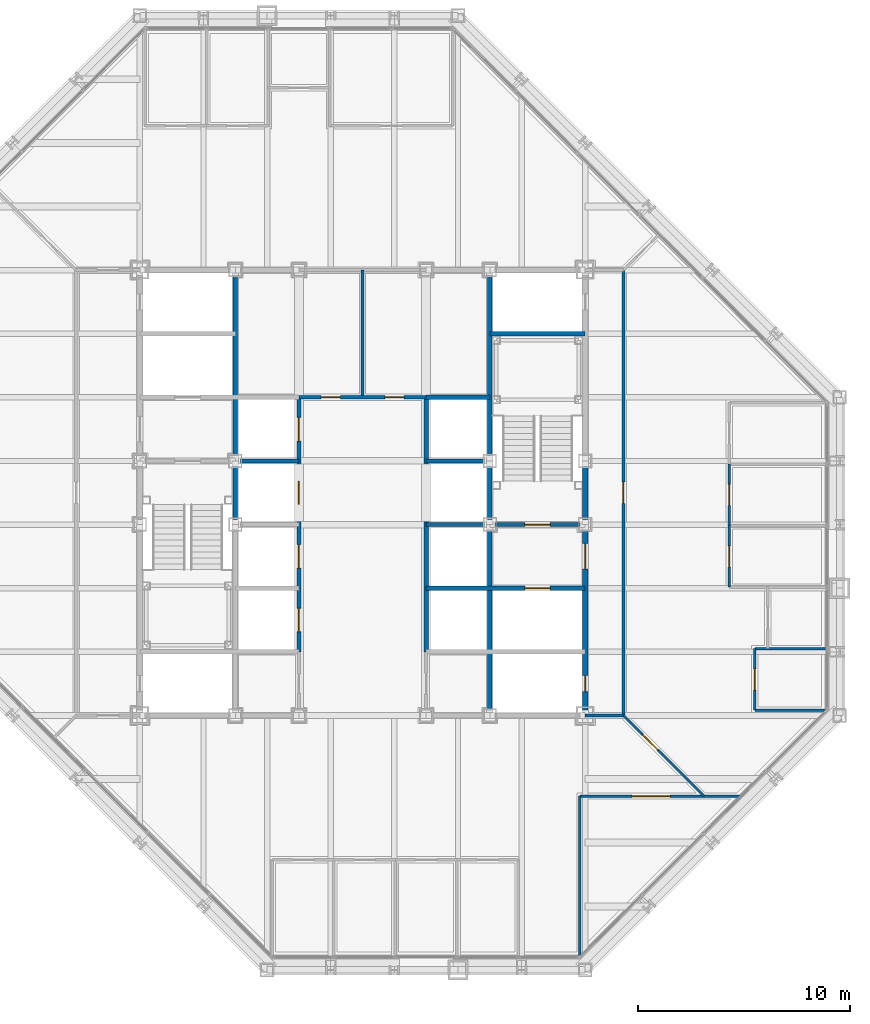
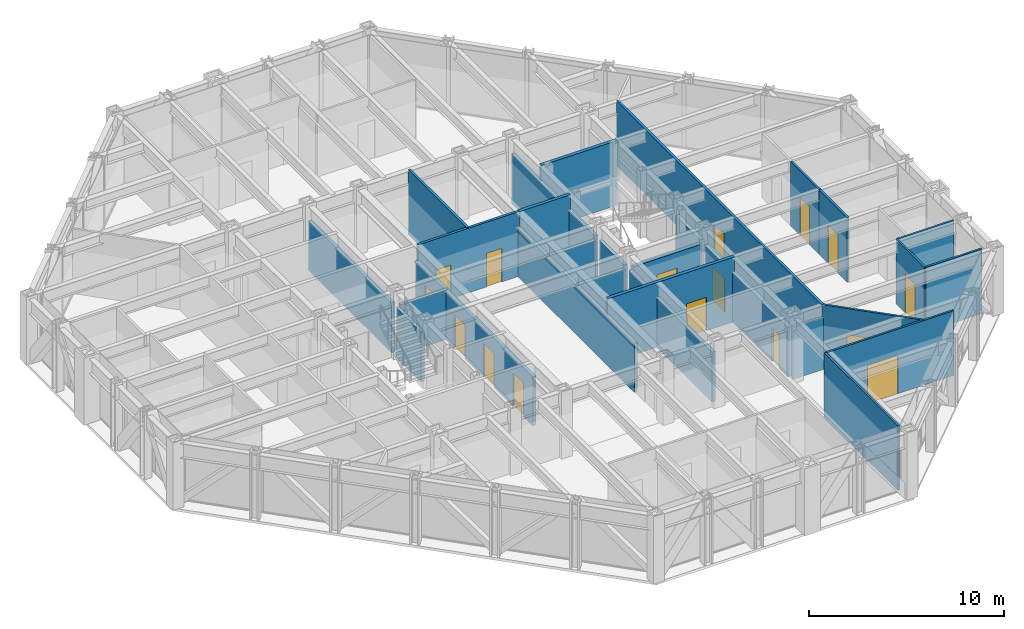
# One storey, part 11 of 15: 28 walls, 16 doors, 16 openings.
"""IFC4 building model written with IfcOpenShell, lengths in metres."""

from ifc_helpers import new_model, si_unit, direction, frame, frame_2d, origin, place, context, subcontext, project, spatial, rectangle, extrude, material, layer, layer_set, type_object, element, fill, save


model = new_model("IFC4")

# Units and contexts
model_context = context("Model", 3, precision=1e-05, world=origin(), true_north=direction((0.0, 1.0)))
body_context = subcontext(model_context, "Body", "Model", "MODEL_VIEW")
ifc_project = project(units=[si_unit("LENGTHUNIT", "METRE"), si_unit("AREAUNIT", "SQUARE_METRE"), si_unit("VOLUMEUNIT", "CUBIC_METRE"), si_unit("PLANEANGLEUNIT", "RADIAN"), si_unit("MASSUNIT", "GRAM", prefix="KILO")], contexts=[model_context])

# Site, building, storey
site_placement = place(None, origin())
site = spatial("IfcSite", under=ifc_project, at=site_placement, CompositionType="ELEMENT")
building_placement = place(site_placement, origin())
building = spatial("IfcBuilding", under=site, at=building_placement, Name="Chuquiago Exchange Tower", CompositionType="ELEMENT")
storey_placement = place(building_placement, frame((0.0, 0.0, 192.89990234375)))
storey = spatial("IfcBuildingStorey", under=building, at=storey_placement, Name="L42", CompositionType="ELEMENT", Elevation=192.89990234375)

# Wall, openings, doors
ifc_material_1 = material(Name="Concrete masonry, fully grouted", Category="masonry")
ifc_layer_1 = layer(ifc_material_1, 0.25)
ifc_layer_set_1 = layer_set([ifc_layer_1], Name="W1 core wall 250")
wall_type_1 = type_object("IfcWallType", Name="W1 core wall 250", PredefinedType="SOLIDWALL", material=ifc_layer_set_1)
wall_1_placement = place(storey_placement, frame((33.0, 12.25, 0.0), z_axis=(0.0, 0.0, 1.0), x_axis=(0.0, 1.0, 0.0)))
wall_1 = element("IfcWall", 1, at=wall_1_placement, inside=storey, type_object=wall_type_1, Name="CW-L42-25-0", PredefinedType="SOLIDWALL", context=body_context, shape_type="SweptSolid", body=[
    extrude(rectangle(XDim=8.5, YDim=0.25, at=frame_2d((4.25, 0.0))), origin(), (0.0, 0.0, 1.0), 3.113037109375),
])
opening_1_placement = place(wall_1_placement, frame((6.64990234375, 0.0, 0.0)))
opening_1 = element("IfcOpeningElement", 2, at=opening_1_placement, cuts=wall_1, Name="Opening L42-004", PredefinedType="OPENING", context=body_context, shape_type="SweptSolid", body=[
    extrude(rectangle(XDim=1.199951171875, YDim=2.10009765625, at=frame_2d((0.60009765625, 1.050048828125))), frame((0.0, 0.135009765625, 0.0), z_axis=(0.0, -1.0, 0.0), x_axis=(1.0, 0.0, 0.0)), (0.0, 0.0, 1.0), 0.27001953125),
])
opening_2_placement = place(wall_1_placement, frame((0.875, 0.0, 0.0)))
opening_2 = element("IfcOpeningElement", 3, at=opening_2_placement, cuts=wall_1, Name="Opening L42-009", PredefinedType="OPENING", context=body_context, shape_type="SweptSolid", body=[
    extrude(rectangle(XDim=0.75, YDim=2.10009765625, at=frame_2d((0.375, 1.050048828125))), frame((0.0, 0.135009765625, 0.0), z_axis=(0.0, -1.0, 0.0), x_axis=(1.0, 0.0, 0.0)), (0.0, 0.0, 1.0), 0.27001953125),
])
ifc_material_2 = material(Name="Steel door, painted", Category="steel")
door_type_1 = type_object("IfcDoorType", Name="D5 firefighting lobby door 1200x2100", OperationType="SINGLE_SWING_LEFT", PredefinedType="DOOR", material=ifc_material_2)
door_1_placement = place(opening_1_placement, origin())
door_1 = element("IfcDoor", 4, at=door_1_placement, inside=storey, type_object=door_type_1, Name="Firefighting lobby 2 door", OperationType="SINGLE_SWING_RIGHT", OverallHeight=2.10009765625, OverallWidth=1.199951171875, PredefinedType="DOOR", context=body_context, shape_type="SweptSolid", body=[
    extrude(rectangle(XDim=1.199951171875, YDim=2.10009765625, at=frame_2d((0.60009765625, 1.050048828125))), frame((0.0, 0.02490234375, 0.0), z_axis=(0.0, -1.0, 0.0), x_axis=(1.0, 0.0, 0.0)), (0.0, 0.0, 1.0), 0.050048828125),
])
fill(opening_1, door_1)
ifc_material_3 = material(Name="Steel door, painted", Category="steel")
door_type_2 = type_object("IfcDoorType", Name="D6 riser access door 750x2100", OperationType="SINGLE_SWING_LEFT", PredefinedType="DOOR", material=ifc_material_3)
door_2_placement = place(opening_2_placement, frame((0.75, 0.0, 0.0), z_axis=(0.0, 0.0, 1.0), x_axis=(-1.0, 0.0, 0.0)))
door_2 = element("IfcDoor", 5, at=door_2_placement, inside=storey, type_object=door_type_2, Name="Riser RE1 door", OperationType="SINGLE_SWING_RIGHT", OverallHeight=2.10009765625, OverallWidth=0.75, PredefinedType="DOOR", context=body_context, shape_type="SweptSolid", body=[
    extrude(rectangle(XDim=0.75, YDim=2.10009765625, at=frame_2d((0.375, 1.050048828125))), frame((0.0, 0.02490234375, 0.0), z_axis=(0.0, -1.0, 0.0), x_axis=(1.0, 0.0, 0.0)), (0.0, 0.0, 1.0), 0.050048828125),
])
fill(opening_2, door_2)

# Wall
wall_2_placement = place(storey_placement, frame((33.0, 21.25, 0.0), z_axis=(0.0, 0.0, 1.0), x_axis=(0.0, 1.0, 0.0)))
element("IfcWall", 6, at=wall_2_placement, inside=storey, type_object=wall_type_1, Name="CW-L42-25-1", PredefinedType="SOLIDWALL", context=body_context, shape_type="SweptSolid", body=[
    extrude(rectangle(XDim=2.5, YDim=0.25, at=frame_2d((1.25, 0.0))), origin(), (0.0, 0.0, 1.0), 3.113037109375),
])

# Wall, opening, door
ifc_material_4 = material(Name="Gypsum board on steel studs, acoustic insulation", Category="steel")
ifc_layer_2 = layer(ifc_material_4, 0.14990234375)
ifc_layer_set_2 = layer_set([ifc_layer_2], Name="W11 corridor wall 150")
wall_type_2 = type_object("IfcWallType", Name="W11 corridor wall 150", PredefinedType="PARTITIONING", material=ifc_layer_set_2)
wall_3_placement = place(storey_placement, frame((34.800048828125, 12.0, 0.0), z_axis=(0.0, 0.0, 1.0), x_axis=(0.0, 1.0, 0.0)))
wall_3 = element("IfcWall", 7, at=wall_3_placement, inside=storey, type_object=wall_type_2, Name="PW-L42-GE0", PredefinedType="PARTITIONING", context=body_context, shape_type="SweptSolid", body=[
    extrude(rectangle(XDim=21.0, YDim=0.14990234375, at=frame_2d((10.5, 0.0))), origin(), (0.0, 0.0, 1.0), 4.0400390625),
])
opening_3_placement = place(wall_3_placement, frame((10.0, 0.0, 0.0)))
opening_3 = element("IfcOpeningElement", 8, at=opening_3_placement, cuts=wall_3, Name="Opening L42-040", PredefinedType="OPENING", context=body_context, shape_type="SweptSolid", body=[
    extrude(rectangle(XDim=1.0, YDim=2.39990234375, at=frame_2d((0.5, 1.199951171875))), frame((0.0, 0.0849609375, 0.0), z_axis=(0.0, -1.0, 0.0), x_axis=(1.0, 0.0, 0.0)), (0.0, 0.0, 1.0), 0.169921875),
])
ifc_material_5 = material(Name="Timber door, laminate faced", Category="wood")
door_type_3 = type_object("IfcDoorType", Name="D9 room door 1000x2400", OperationType="SINGLE_SWING_LEFT", PredefinedType="DOOR", material=ifc_material_5)
door_3_placement = place(opening_3_placement, frame((1.0, 0.0, 0.0), z_axis=(0.0, 0.0, 1.0), x_axis=(-1.0, 0.0, 0.0)))
door_3 = element("IfcDoor", 9, at=door_3_placement, inside=storey, type_object=door_type_3, Name="Team area door", OperationType="SINGLE_SWING_RIGHT", OverallHeight=2.39990234375, OverallWidth=1.0, PredefinedType="DOOR", context=body_context, shape_type="SweptSolid", body=[
    extrude(rectangle(XDim=1.0, YDim=2.39990234375, at=frame_2d((0.5, 1.199951171875))), frame((0.0, 0.02490234375, 0.0), z_axis=(0.0, -1.0, 0.0), x_axis=(1.0, 0.0, 0.0)), (0.0, 0.0, 1.0), 0.050048828125),
])
fill(opening_3, door_3)

# Walls
wall_4_placement = place(storey_placement, frame((33.0, 12.0, 0.0), z_axis=(0.0, 0.0, 1.0), x_axis=(1.0, 0.0, 0.0)))
element("IfcWall", 10, at=wall_4_placement, inside=storey, type_object=wall_type_2, Name="PW-L42-GES0", PredefinedType="PARTITIONING", context=body_context, shape_type="SweptSolid", body=[
    extrude(rectangle(XDim=1.800048828125, YDim=0.14990234375, at=frame_2d((0.89990234375, 0.0))), origin(), (0.0, 0.0, 1.0), 3.2705078125),
])
ifc_material_6 = material(Name="Concrete masonry, fully grouted", Category="masonry")
ifc_layer_3 = layer(ifc_material_6, 0.199951171875)
ifc_layer_set_3 = layer_set([ifc_layer_3], Name="W2 shaft wall 200")
wall_type_3 = type_object("IfcWallType", Name="W2 shaft wall 200", PredefinedType="SOLIDWALL", material=ifc_layer_set_3)
for number, where, z_axis, x_axis, name in (
    (11, (16.75, 24.0, 0.0), (0.0, 0.0, 1.0), (1.0, 0.0, 0.0), "CW-L42-05-1"),
    (12, (25.5, 24.0, 0.0), (0.0, 0.0, 1.0), (1.0, 0.0, 0.0), "CW-L42-06-0"),
):
    element("IfcWall", number, at=place(storey_placement, frame(where, z_axis=z_axis, x_axis=x_axis)), inside=storey, type_object=wall_type_3, Name=name, PredefinedType="SOLIDWALL", context=body_context, shape_type="SweptSolid", body=[
        extrude(rectangle(XDim=2.75, YDim=0.199951171875, at=frame_2d((1.375, 0.0))), origin(), (0.0, 0.0, 1.0), 3.090087890625),
    ])
wall_5_placement = place(storey_placement, frame((25.5, 27.0, 0.0), z_axis=(0.0, 0.0, 1.0), x_axis=(1.0, 0.0, 0.0)))
element("IfcWall", 13, at=wall_5_placement, inside=storey, type_object=wall_type_3, Name="CW-L42-08-0", PredefinedType="SOLIDWALL", context=body_context, shape_type="SweptSolid", body=[
    extrude(rectangle(XDim=3.0, YDim=0.199951171875, at=frame_2d((1.5, 0.0))), origin(), (0.0, 0.0, 1.0), 4.0400390625),
])
wall_6_placement = place(storey_placement, frame((28.5, 30.0, 0.0), z_axis=(0.0, 0.0, 1.0), x_axis=(1.0, 0.0, 0.0)))
element("IfcWall", 14, at=wall_6_placement, inside=storey, type_object=wall_type_3, Name="CW-L42-10-0", PredefinedType="SOLIDWALL", context=body_context, shape_type="SweptSolid", body=[
    extrude(rectangle(XDim=4.5, YDim=0.199951171875, at=frame_2d((2.25, 0.0))), origin(), (0.0, 0.0, 1.0), 4.0400390625),
])
wall_7_placement = place(storey_placement, frame((16.5, 21.25, 0.0), z_axis=(0.0, 0.0, 1.0), x_axis=(0.0, 1.0, 0.0)))
element("IfcWall", 15, at=wall_7_placement, inside=storey, type_object=wall_type_3, Name="CW-L42-13-1", PredefinedType="SOLIDWALL", context=body_context, shape_type="SweptSolid", body=[
    extrude(rectangle(XDim=2.5, YDim=0.199951171875, at=frame_2d((1.25, 0.0))), origin(), (0.0, 0.0, 1.0), 3.113037109375),
])
wall_8_placement = place(storey_placement, frame((16.5, 24.25, 0.0), z_axis=(0.0, 0.0, 1.0), x_axis=(0.0, 1.0, 0.0)))
element("IfcWall", 16, at=wall_8_placement, inside=storey, type_object=wall_type_3, Name="CW-L42-13-2", PredefinedType="SOLIDWALL", context=body_context, shape_type="SweptSolid", body=[
    extrude(rectangle(XDim=8.5, YDim=0.199951171875, at=frame_2d((4.25, 0.0))), origin(), (0.0, 0.0, 1.0), 3.113037109375),
])

# Wall, opening, door
wall_9_placement = place(storey_placement, frame((25.5, 18.0, 0.0), z_axis=(0.0, 0.0, 1.0), x_axis=(1.0, 0.0, 0.0)))
wall_9 = element("IfcWall", 17, at=wall_9_placement, inside=storey, type_object=wall_type_3, Name="CW-L42-15-0", PredefinedType="SOLIDWALL", context=body_context, shape_type="SweptSolid", body=[
    extrude(rectangle(XDim=7.5, YDim=0.199951171875, at=frame_2d((3.75, 0.0))), origin(), (0.0, 0.0, 1.0), 4.0400390625),
])
opening_4_placement = place(wall_9_placement, frame((4.64990234375, 0.0, 0.0)))
opening_4 = element("IfcOpeningElement", 18, at=opening_4_placement, cuts=wall_9, Name="Opening L42-006", PredefinedType="OPENING", context=body_context, shape_type="SweptSolid", body=[
    extrude(rectangle(XDim=1.199951171875, YDim=2.10009765625, at=frame_2d((0.60009765625, 1.050048828125))), frame((0.0, 0.10986328125, 0.0), z_axis=(0.0, -1.0, 0.0), x_axis=(1.0, 0.0, 0.0)), (0.0, 0.0, 1.0), 0.219970703125),
])
ifc_material_7 = material(Name="Stainless steel lift landing door", Category="steel")
door_type_4 = type_object("IfcDoorType", Name="LD2 firefighting lift landing door 1200x2100", OperationType="DOUBLE_DOOR_SLIDING", PredefinedType="DOOR", material=ifc_material_7)
door_4_placement = place(opening_4_placement, origin())
door_4 = element("IfcDoor", 19, at=door_4_placement, inside=storey, type_object=door_type_4, Name="Firefighting lift FL2 landing door", OperationType="DOUBLE_DOOR_SLIDING", OverallHeight=2.10009765625, OverallWidth=1.199951171875, PredefinedType="DOOR", context=body_context, shape_type="SweptSolid", body=[
    extrude(rectangle(XDim=1.199951171875, YDim=2.10009765625, at=frame_2d((0.60009765625, 1.050048828125))), frame((0.0, 0.02490234375, 0.0), z_axis=(0.0, -1.0, 0.0), x_axis=(1.0, 0.0, 0.0)), (0.0, 0.0, 1.0), 0.050048828125),
])
fill(opening_4, door_4)

# Wall
wall_10_placement = place(storey_placement, frame((25.5, 21.0, 0.0), z_axis=(0.0, 0.0, 1.0), x_axis=(1.0, 0.0, 0.0)))
element("IfcWall", 20, at=wall_10_placement, inside=storey, type_object=wall_type_3, Name="CW-L42-17-0", PredefinedType="SOLIDWALL", context=body_context, shape_type="SweptSolid", body=[
    extrude(rectangle(XDim=2.75, YDim=0.199951171875, at=frame_2d((1.375, 0.0))), origin(), (0.0, 0.0, 1.0), 3.090087890625),
])

# Wall, opening, door
wall_11_placement = place(storey_placement, frame((28.75, 21.0, 0.0), z_axis=(0.0, 0.0, 1.0), x_axis=(1.0, 0.0, 0.0)))
wall_11 = element("IfcWall", 21, at=wall_11_placement, inside=storey, type_object=wall_type_3, Name="CW-L42-17-1", PredefinedType="SOLIDWALL", context=body_context, shape_type="SweptSolid", body=[
    extrude(rectangle(XDim=4.0, YDim=0.199951171875, at=frame_2d((2.0, 0.0))), origin(), (0.0, 0.0, 1.0), 3.090087890625),
])
opening_5_placement = place(wall_11_placement, frame((1.39990234375, 0.0, 0.0)))
opening_5 = element("IfcOpeningElement", 22, at=opening_5_placement, cuts=wall_11, Name="Opening L42-003", PredefinedType="OPENING", context=body_context, shape_type="SweptSolid", body=[
    extrude(rectangle(XDim=1.199951171875, YDim=2.10009765625, at=frame_2d((0.60009765625, 1.050048828125))), frame((0.0, 0.10986328125, 0.0), z_axis=(0.0, -1.0, 0.0), x_axis=(1.0, 0.0, 0.0)), (0.0, 0.0, 1.0), 0.219970703125),
])
ifc_material_8 = material(Name="Steel door, painted", Category="steel")
door_type_5 = type_object("IfcDoorType", Name="D4 stair door 1200x2100", OperationType="SINGLE_SWING_LEFT", PredefinedType="DOOR", material=ifc_material_8)
door_5_placement = place(opening_5_placement, origin())
door_5 = element("IfcDoor", 23, at=door_5_placement, inside=storey, type_object=door_type_5, Name="Stair ST2 door", OperationType="SINGLE_SWING_LEFT", OverallHeight=2.10009765625, OverallWidth=1.199951171875, PredefinedType="DOOR", context=body_context, shape_type="SweptSolid", body=[
    extrude(rectangle(XDim=1.199951171875, YDim=2.10009765625, at=frame_2d((0.60009765625, 1.050048828125))), frame((0.0, 0.02490234375, 0.0), z_axis=(0.0, -1.0, 0.0), x_axis=(1.0, 0.0, 0.0)), (0.0, 0.0, 1.0), 0.050048828125),
])
fill(opening_5, door_5)

# Wall, openings, doors
wall_12_placement = place(storey_placement, frame((19.5, 15.0, 0.0), z_axis=(0.0, 0.0, 1.0), x_axis=(0.0, 1.0, 0.0)))
wall_12 = element("IfcWall", 24, at=wall_12_placement, inside=storey, type_object=wall_type_3, Name="CW-L42-19-0", PredefinedType="SOLIDWALL", context=body_context, shape_type="SweptSolid", body=[
    extrude(rectangle(XDim=12.0, YDim=0.199951171875, at=frame_2d((6.0, 0.0))), origin(), (0.0, 0.0, 1.0), 3.064697265625),
])
opening_6_placement = place(wall_12_placement, frame((0.949951171875, 0.0, 0.0)))
opening_6 = element("IfcOpeningElement", 25, at=opening_6_placement, cuts=wall_12, Name="Opening L42-015", PredefinedType="OPENING", context=body_context, shape_type="SweptSolid", body=[
    extrude(rectangle(XDim=1.10009765625, YDim=2.10009765625, at=frame_2d((0.550048828125, 1.050048828125))), frame((0.0, 0.10986328125, 0.0), z_axis=(0.0, -1.0, 0.0), x_axis=(1.0, 0.0, 0.0)), (0.0, 0.0, 1.0), 0.219970703125),
])
opening_7_placement = place(wall_12_placement, frame((3.949951171875, 0.0, 0.0)))
opening_7 = element("IfcOpeningElement", 26, at=opening_7_placement, cuts=wall_12, Name="Opening L42-016", PredefinedType="OPENING", context=body_context, shape_type="SweptSolid", body=[
    extrude(rectangle(XDim=1.10009765625, YDim=2.10009765625, at=frame_2d((0.550048828125, 1.050048828125))), frame((0.0, 0.10986328125, 0.0), z_axis=(0.0, -1.0, 0.0), x_axis=(1.0, 0.0, 0.0)), (0.0, 0.0, 1.0), 0.219970703125),
])
opening_8_placement = place(wall_12_placement, frame((6.949951171875, 0.0, 0.0)))
opening_8 = element("IfcOpeningElement", 27, at=opening_8_placement, cuts=wall_12, Name="Opening L42-017", PredefinedType="OPENING", context=body_context, shape_type="SweptSolid", body=[
    extrude(rectangle(XDim=1.10009765625, YDim=2.10009765625, at=frame_2d((0.550048828125, 1.050048828125))), frame((0.0, 0.10986328125, 0.0), z_axis=(0.0, -1.0, 0.0), x_axis=(1.0, 0.0, 0.0)), (0.0, 0.0, 1.0), 0.219970703125),
])
opening_9_placement = place(wall_12_placement, frame((9.949951171875, 0.0, 0.0)))
opening_9 = element("IfcOpeningElement", 28, at=opening_9_placement, cuts=wall_12, Name="Opening L42-018", PredefinedType="OPENING", context=body_context, shape_type="SweptSolid", body=[
    extrude(rectangle(XDim=1.10009765625, YDim=2.10009765625, at=frame_2d((0.550048828125, 1.050048828125))), frame((0.0, 0.10986328125, 0.0), z_axis=(0.0, -1.0, 0.0), x_axis=(1.0, 0.0, 0.0)), (0.0, 0.0, 1.0), 0.219970703125),
])
ifc_material_9 = material(Name="Stainless steel lift landing door", Category="steel")
door_type_6 = type_object("IfcDoorType", Name="LD1 lift landing door 1100x2100", OperationType="DOUBLE_DOOR_SLIDING", PredefinedType="DOOR", material=ifc_material_9)
door_6_placement = place(opening_6_placement, origin())
door_6 = element("IfcDoor", 29, at=door_6_placement, inside=storey, type_object=door_type_6, Name="Lift LC1 landing door", OperationType="DOUBLE_DOOR_SLIDING", OverallHeight=2.10009765625, OverallWidth=1.10009765625, PredefinedType="DOOR", context=body_context, shape_type="SweptSolid", body=[
    extrude(rectangle(XDim=1.10009765625, YDim=2.10009765625, at=frame_2d((0.550048828125, 1.050048828125))), frame((0.0, 0.02490234375, 0.0), z_axis=(0.0, -1.0, 0.0), x_axis=(1.0, 0.0, 0.0)), (0.0, 0.0, 1.0), 0.050048828125),
])
fill(opening_6, door_6)
door_7_placement = place(opening_7_placement, origin())
door_7 = element("IfcDoor", 30, at=door_7_placement, inside=storey, type_object=door_type_6, Name="Lift LC2 landing door", OperationType="DOUBLE_DOOR_SLIDING", OverallHeight=2.10009765625, OverallWidth=1.10009765625, PredefinedType="DOOR", context=body_context, shape_type="SweptSolid", body=[
    extrude(rectangle(XDim=1.10009765625, YDim=2.10009765625, at=frame_2d((0.550048828125, 1.050048828125))), frame((0.0, 0.02490234375, 0.0), z_axis=(0.0, -1.0, 0.0), x_axis=(1.0, 0.0, 0.0)), (0.0, 0.0, 1.0), 0.050048828125),
])
fill(opening_7, door_7)
door_8_placement = place(opening_8_placement, origin())
door_8 = element("IfcDoor", 31, at=door_8_placement, inside=storey, type_object=door_type_6, Name="Lift LC3 landing door", OperationType="DOUBLE_DOOR_SLIDING", OverallHeight=2.10009765625, OverallWidth=1.10009765625, PredefinedType="DOOR", context=body_context, shape_type="SweptSolid", body=[
    extrude(rectangle(XDim=1.10009765625, YDim=2.10009765625, at=frame_2d((0.550048828125, 1.050048828125))), frame((0.0, 0.02490234375, 0.0), z_axis=(0.0, -1.0, 0.0), x_axis=(1.0, 0.0, 0.0)), (0.0, 0.0, 1.0), 0.050048828125),
])
fill(opening_8, door_8)
door_9_placement = place(opening_9_placement, origin())
door_9 = element("IfcDoor", 32, at=door_9_placement, inside=storey, type_object=door_type_6, Name="Lift LC4 landing door", OperationType="DOUBLE_DOOR_SLIDING", OverallHeight=2.10009765625, OverallWidth=1.10009765625, PredefinedType="DOOR", context=body_context, shape_type="SweptSolid", body=[
    extrude(rectangle(XDim=1.10009765625, YDim=2.10009765625, at=frame_2d((0.550048828125, 1.050048828125))), frame((0.0, 0.02490234375, 0.0), z_axis=(0.0, -1.0, 0.0), x_axis=(1.0, 0.0, 0.0)), (0.0, 0.0, 1.0), 0.050048828125),
])
fill(opening_9, door_9)

# Walls
wall_13_placement = place(storey_placement, frame((25.5, 15.0, 0.0), z_axis=(0.0, 0.0, 1.0), x_axis=(0.0, 1.0, 0.0)))
element("IfcWall", 33, at=wall_13_placement, inside=storey, type_object=wall_type_3, Name="CW-L42-22-0", PredefinedType="SOLIDWALL", context=body_context, shape_type="SweptSolid", body=[
    extrude(rectangle(XDim=12.0, YDim=0.199951171875, at=frame_2d((6.0, 0.0))), origin(), (0.0, 0.0, 1.0), 3.064697265625),
])
wall_14_placement = place(storey_placement, frame((28.5, 12.25, 0.0), z_axis=(0.0, 0.0, 1.0), x_axis=(0.0, 1.0, 0.0)))
element("IfcWall", 34, at=wall_14_placement, inside=storey, type_object=wall_type_3, Name="CW-L42-24-0", PredefinedType="SOLIDWALL", context=body_context, shape_type="SweptSolid", body=[
    extrude(rectangle(XDim=8.5, YDim=0.199951171875, at=frame_2d((4.25, 0.0))), origin(), (0.0, 0.0, 1.0), 3.113037109375),
])
wall_15_placement = place(storey_placement, frame((28.5, 21.25, 0.0), z_axis=(0.0, 0.0, 1.0), x_axis=(0.0, 1.0, 0.0)))
element("IfcWall", 35, at=wall_15_placement, inside=storey, type_object=wall_type_3, Name="CW-L42-24-1", PredefinedType="SOLIDWALL", context=body_context, shape_type="SweptSolid", body=[
    extrude(rectangle(XDim=2.5, YDim=0.199951171875, at=frame_2d((1.25, 0.0))), origin(), (0.0, 0.0, 1.0), 3.113037109375),
])
wall_16_placement = place(storey_placement, frame((28.5, 24.25, 0.0), z_axis=(0.0, 0.0, 1.0), x_axis=(0.0, 1.0, 0.0)))
element("IfcWall", 36, at=wall_16_placement, inside=storey, type_object=wall_type_3, Name="CW-L42-24-2", PredefinedType="SOLIDWALL", context=body_context, shape_type="SweptSolid", body=[
    extrude(rectangle(XDim=8.5, YDim=0.199951171875, at=frame_2d((4.25, 0.0))), origin(), (0.0, 0.0, 1.0), 3.113037109375),
])

# Wall, openings, doors
ifc_material_10 = material(Name="Gypsum board on steel studs", Category="steel")
ifc_layer_4 = layer(ifc_material_10, 0.14990234375)
ifc_layer_set_4 = layer_set([ifc_layer_4], Name="W3 core partition 150")
wall_type_4 = type_object("IfcWallType", Name="W3 core partition 150", PredefinedType="PARTITIONING", material=ifc_layer_set_4)
wall_17_placement = place(storey_placement, frame((19.5, 27.0, 0.0), z_axis=(0.0, 0.0, 1.0), x_axis=(1.0, 0.0, 0.0)))
wall_17 = element("IfcWall", 37, at=wall_17_placement, inside=storey, type_object=wall_type_4, Name="CW-L42-TF", PredefinedType="PARTITIONING", context=body_context, shape_type="SweptSolid", body=[
    extrude(rectangle(XDim=6.0, YDim=0.14990234375, at=frame_2d((3.0, 0.0))), origin(), (0.0, 0.0, 1.0), 4.0400390625),
])
opening_10_placement = place(wall_17_placement, frame((1.050048828125, 0.0, 0.0)))
opening_10 = element("IfcOpeningElement", 38, at=opening_10_placement, cuts=wall_17, Name="Opening L42-011", PredefinedType="OPENING", context=body_context, shape_type="SweptSolid", body=[
    extrude(rectangle(XDim=0.89990234375, YDim=2.10009765625, at=frame_2d((0.449951171875, 1.050048828125))), frame((0.0, 0.0849609375, 0.0), z_axis=(0.0, -1.0, 0.0), x_axis=(1.0, 0.0, 0.0)), (0.0, 0.0, 1.0), 0.169921875),
])
opening_11_placement = place(wall_17_placement, frame((4.050048828125, 0.0, 0.0)))
opening_11 = element("IfcOpeningElement", 39, at=opening_11_placement, cuts=wall_17, Name="Opening L42-012", PredefinedType="OPENING", context=body_context, shape_type="SweptSolid", body=[
    extrude(rectangle(XDim=0.89990234375, YDim=2.10009765625, at=frame_2d((0.449951171875, 1.050048828125))), frame((0.0, 0.0849609375, 0.0), z_axis=(0.0, -1.0, 0.0), x_axis=(1.0, 0.0, 0.0)), (0.0, 0.0, 1.0), 0.169921875),
])
ifc_material_11 = material(Name="Timber door, laminate faced", Category="wood")
door_type_7 = type_object("IfcDoorType", Name="D7 toilet door 900x2100", OperationType="SINGLE_SWING_LEFT", PredefinedType="DOOR", material=ifc_material_11)
door_10_placement = place(opening_10_placement, origin())
door_10 = element("IfcDoor", 40, at=door_10_placement, inside=storey, type_object=door_type_7, Name="Male WC door", OperationType="SINGLE_SWING_RIGHT", OverallHeight=2.10009765625, OverallWidth=0.89990234375, PredefinedType="DOOR", context=body_context, shape_type="SweptSolid", body=[
    extrude(rectangle(XDim=0.89990234375, YDim=2.10009765625, at=frame_2d((0.449951171875, 1.050048828125))), frame((0.0, 0.02490234375, 0.0), z_axis=(0.0, -1.0, 0.0), x_axis=(1.0, 0.0, 0.0)), (0.0, 0.0, 1.0), 0.050048828125),
])
fill(opening_10, door_10)
door_11_placement = place(opening_11_placement, origin())
door_11 = element("IfcDoor", 41, at=door_11_placement, inside=storey, type_object=door_type_7, Name="Female WC door", OperationType="SINGLE_SWING_LEFT", OverallHeight=2.10009765625, OverallWidth=0.89990234375, PredefinedType="DOOR", context=body_context, shape_type="SweptSolid", body=[
    extrude(rectangle(XDim=0.89990234375, YDim=2.10009765625, at=frame_2d((0.449951171875, 1.050048828125))), frame((0.0, 0.02490234375, 0.0), z_axis=(0.0, -1.0, 0.0), x_axis=(1.0, 0.0, 0.0)), (0.0, 0.0, 1.0), 0.050048828125),
])
fill(opening_11, door_11)

# Walls
wall_18_placement = place(storey_placement, frame((22.5, 27.0, 0.0), z_axis=(0.0, 0.0, 1.0), x_axis=(0.0, 1.0, 0.0)))
element("IfcWall", 42, at=wall_18_placement, inside=storey, type_object=wall_type_4, Name="CW-L42-TM", PredefinedType="PARTITIONING", context=body_context, shape_type="SweptSolid", body=[
    extrude(rectangle(XDim=6.0, YDim=0.14990234375, at=frame_2d((3.0, 0.0))), origin(), (0.0, 0.0, 1.0), 4.0400390625),
])
ifc_material_12 = material(Name="Gypsum board on steel studs", Category="steel")
ifc_layer_5 = layer(ifc_material_12, 0.1201171875)
ifc_layer_set_5 = layer_set([ifc_layer_5], Name="W4 partition 120")
wall_type_5 = type_object("IfcWallType", Name="W4 partition 120", PredefinedType="PARTITIONING", material=ifc_layer_set_5)
wall_19_placement = place(storey_placement, frame((32.75146484375, 0.666015625, 0.0), z_axis=(0.0, 0.0, 1.0), x_axis=(0.0, 1.0, 0.0)))
element("IfcWall", 43, at=wall_19_placement, inside=storey, type_object=wall_type_5, Name="PW-L42-S03275", PredefinedType="PARTITIONING", context=body_context, shape_type="SweptSolid", body=[
    extrude(rectangle(XDim=7.533935546875, YDim=0.1201171875, at=frame_2d((3.76708984375, 0.0))), origin(), (0.0, 0.0, 1.0), 4.0400390625),
])

# Wall, opening, door
wall_20_placement = place(storey_placement, frame((32.75146484375, 8.199951171875, 0.0), z_axis=(0.0, 0.0, 1.0), x_axis=(1.0, 0.0, 0.0)))
wall_20 = element("IfcWall", 44, at=wall_20_placement, inside=storey, type_object=wall_type_5, Name="PW-L42-SF03275", PredefinedType="PARTITIONING", context=body_context, shape_type="SweptSolid", body=[
    extrude(rectangle(XDim=7.56298828125, YDim=0.1201171875, at=frame_2d((3.781494140625, 0.0))), origin(), (0.0, 0.0, 1.0), 4.0400390625),
])
opening_12_placement = place(wall_20_placement, frame((2.456298828125, 0.0, 0.0)))
opening_12 = element("IfcOpeningElement", 45, at=opening_12_placement, cuts=wall_20, Name="Opening L42-023", PredefinedType="OPENING", context=body_context, shape_type="SweptSolid", body=[
    extrude(rectangle(XDim=1.800048828125, YDim=2.39990234375, at=frame_2d((0.89990234375, 1.199951171875))), frame((0.0, 0.070068359375, 0.0), z_axis=(0.0, -1.0, 0.0), x_axis=(1.0, 0.0, 0.0)), (0.0, 0.0, 1.0), 0.14013671875),
])
ifc_material_13 = material(Name="Timber door pair, laminate faced", Category="wood")
door_type_8 = type_object("IfcDoorType", Name="D15 double room door 1800x2400", OperationType="DOUBLE_DOOR_DOUBLE_SWING", PredefinedType="DOOR", material=ifc_material_13)
door_12_placement = place(opening_12_placement, origin())
door_12 = element("IfcDoor", 46, at=door_12_placement, inside=storey, type_object=door_type_8, Name="Boardroom door", OperationType="DOUBLE_DOOR_DOUBLE_SWING", OverallHeight=2.39990234375, OverallWidth=1.800048828125, PredefinedType="DOOR", context=body_context, shape_type="SweptSolid", body=[
    extrude(rectangle(XDim=1.800048828125, YDim=2.39990234375, at=frame_2d((0.89990234375, 1.199951171875))), frame((0.0, 0.02490234375, 0.0), z_axis=(0.0, -1.0, 0.0), x_axis=(1.0, 0.0, 0.0)), (0.0, 0.0, 1.0), 0.050048828125),
])
fill(opening_12, door_12)

# Walls
wall_21_placement = place(storey_placement, frame((44.333984375, 12.24853515625, 0.0), z_axis=(0.0, 0.0, 1.0), x_axis=(-1.0, 0.0, 0.0)))
element("IfcWall", 47, at=wall_21_placement, inside=storey, type_object=wall_type_5, Name="PW-L42-E01225", PredefinedType="PARTITIONING", context=body_context, shape_type="SweptSolid", body=[
    extrude(rectangle(XDim=3.333984375, YDim=0.1201171875, at=frame_2d((1.6669921875, 0.0))), origin(), (0.0, 0.0, 1.0), 4.0400390625),
])
wall_22_placement = place(storey_placement, frame((44.347412109375, 15.149169921875, 0.0), z_axis=(0.0, 0.0, 1.0), x_axis=(-1.0, 0.0, 0.0)))
element("IfcWall", 48, at=wall_22_placement, inside=storey, type_object=wall_type_5, Name="PW-L42-E01515", PredefinedType="PARTITIONING", context=body_context, shape_type="SweptSolid", body=[
    extrude(rectangle(XDim=3.347412109375, YDim=0.1201171875, at=frame_2d((1.673828125, 0.0))), origin(), (0.0, 0.0, 1.0), 4.0400390625),
])

# Wall, opening, door
wall_23_placement = place(storey_placement, frame((41.0, 12.24853515625, 0.0), z_axis=(0.0, 0.0, 1.0), x_axis=(0.0, 1.0, 0.0)))
wall_23 = element("IfcWall", 49, at=wall_23_placement, inside=storey, type_object=wall_type_5, Name="PW-L42-EF01225", PredefinedType="PARTITIONING", context=body_context, shape_type="SweptSolid", body=[
    extrude(rectangle(XDim=2.900634765625, YDim=0.1201171875, at=frame_2d((1.4501953125, 0.0))), origin(), (0.0, 0.0, 1.0), 4.0400390625),
])
opening_13_placement = place(wall_23_placement, frame((0.9501953125, 0.0, 0.0)))
opening_13 = element("IfcOpeningElement", 50, at=opening_13_placement, cuts=wall_23, Name="Opening L42-024", PredefinedType="OPENING", context=body_context, shape_type="SweptSolid", body=[
    extrude(rectangle(XDim=1.0, YDim=2.39990234375, at=frame_2d((0.5, 1.199951171875))), frame((0.0, 0.070068359375, 0.0), z_axis=(0.0, -1.0, 0.0), x_axis=(1.0, 0.0, 0.0)), (0.0, 0.0, 1.0), 0.14013671875),
])
door_13_placement = place(opening_13_placement, frame((1.0, 0.0, 0.0), z_axis=(0.0, 0.0, 1.0), x_axis=(-1.0, 0.0, 0.0)))
door_13 = element("IfcDoor", 51, at=door_13_placement, inside=storey, type_object=door_type_3, Name="Pantry door", OperationType="SINGLE_SWING_RIGHT", OverallHeight=2.39990234375, OverallWidth=1.0, PredefinedType="DOOR", context=body_context, shape_type="SweptSolid", body=[
    extrude(rectangle(XDim=1.0, YDim=2.39990234375, at=frame_2d((0.5, 1.199951171875))), frame((0.0, 0.02490234375, 0.0), z_axis=(0.0, -1.0, 0.0), x_axis=(1.0, 0.0, 0.0)), (0.0, 0.0, 1.0), 0.050048828125),
])
fill(opening_13, door_13)

wall_24_placement = place(storey_placement, frame((39.800048828125, 18.0498046875, 0.0), z_axis=(0.0, 0.0, 1.0), x_axis=(0.0, 1.0, 0.0)))
wall_24 = element("IfcWall", 52, at=wall_24_placement, inside=storey, type_object=wall_type_5, Name="PW-L42-EF01805", PredefinedType="PARTITIONING", context=body_context, shape_type="SweptSolid", body=[
    extrude(rectangle(XDim=2.900390625, YDim=0.1201171875, at=frame_2d((1.4501953125, 0.0))), origin(), (0.0, 0.0, 1.0), 4.0400390625),
])
opening_14_placement = place(wall_24_placement, frame((0.9501953125, 0.0, 0.0)))
opening_14 = element("IfcOpeningElement", 53, at=opening_14_placement, cuts=wall_24, Name="Opening L42-026", PredefinedType="OPENING", context=body_context, shape_type="SweptSolid", body=[
    extrude(rectangle(XDim=1.0, YDim=2.39990234375, at=frame_2d((0.5, 1.199951171875))), frame((0.0, 0.070068359375, 0.0), z_axis=(0.0, -1.0, 0.0), x_axis=(1.0, 0.0, 0.0)), (0.0, 0.0, 1.0), 0.14013671875),
])
door_14_placement = place(opening_14_placement, frame((1.0, 0.0, 0.0), z_axis=(0.0, 0.0, 1.0), x_axis=(-1.0, 0.0, 0.0)))
door_14 = element("IfcDoor", 54, at=door_14_placement, inside=storey, type_object=door_type_3, Name="Office door", OperationType="SINGLE_SWING_LEFT", OverallHeight=2.39990234375, OverallWidth=1.0, PredefinedType="DOOR", context=body_context, shape_type="SweptSolid", body=[
    extrude(rectangle(XDim=1.0, YDim=2.39990234375, at=frame_2d((0.5, 1.199951171875))), frame((0.0, 0.02490234375, 0.0), z_axis=(0.0, -1.0, 0.0), x_axis=(1.0, 0.0, 0.0)), (0.0, 0.0, 1.0), 0.050048828125),
])
fill(opening_14, door_14)

wall_25_placement = place(storey_placement, frame((39.800048828125, 20.9501953125, 0.0), z_axis=(0.0, 0.0, 1.0), x_axis=(0.0, 1.0, 0.0)))
wall_25 = element("IfcWall", 55, at=wall_25_placement, inside=storey, type_object=wall_type_5, Name="PW-L42-EF02095", PredefinedType="PARTITIONING", context=body_context, shape_type="SweptSolid", body=[
    extrude(rectangle(XDim=2.900634765625, YDim=0.1201171875, at=frame_2d((1.4501953125, 0.0))), origin(), (0.0, 0.0, 1.0), 4.0400390625),
])
opening_15_placement = place(wall_25_placement, frame((0.9501953125, 0.0, 0.0)))
opening_15 = element("IfcOpeningElement", 56, at=opening_15_placement, cuts=wall_25, Name="Opening L42-027", PredefinedType="OPENING", context=body_context, shape_type="SweptSolid", body=[
    extrude(rectangle(XDim=1.0, YDim=2.39990234375, at=frame_2d((0.5, 1.199951171875))), frame((0.0, 0.070068359375, 0.0), z_axis=(0.0, -1.0, 0.0), x_axis=(1.0, 0.0, 0.0)), (0.0, 0.0, 1.0), 0.14013671875),
])
ifc_material_14 = material(Name="Timber frame door, full height glazed panel", Category="wood")
door_type_9 = type_object("IfcDoorType", Name="D14 glazed meeting room door 1000x2400", OperationType="SINGLE_SWING_LEFT", PredefinedType="DOOR", material=ifc_material_14)
door_15_placement = place(opening_15_placement, frame((1.0, 0.0, 0.0), z_axis=(0.0, 0.0, 1.0), x_axis=(-1.0, 0.0, 0.0)))
door_15 = element("IfcDoor", 57, at=door_15_placement, inside=storey, type_object=door_type_9, Name="Meeting room door", OperationType="SINGLE_SWING_RIGHT", OverallHeight=2.39990234375, OverallWidth=1.0, PredefinedType="DOOR", context=body_context, shape_type="SweptSolid", body=[
    extrude(rectangle(XDim=1.0, YDim=2.39990234375, at=frame_2d((0.5, 1.199951171875))), frame((0.0, 0.02490234375, 0.0), z_axis=(0.0, -1.0, 0.0), x_axis=(1.0, 0.0, 0.0)), (0.0, 0.0, 1.0), 0.050048828125),
])
fill(opening_15, door_15)

wall_26_placement = place(storey_placement, frame((34.800048828125, 12.0, 0.0), z_axis=(0.0, 0.0, 1.0), x_axis=(0.707106781187, -0.707106781187, 0.0)))
wall_26 = element("IfcWall", 58, at=wall_26_placement, inside=storey, type_object=wall_type_5, Name="PW-L42-QSE", PredefinedType="PARTITIONING", context=body_context, shape_type="SweptSolid", body=[
    extrude(rectangle(XDim=5.37548828125, YDim=0.1201171875, at=frame_2d((2.687744140625, 0.0))), origin(), (0.0, 0.0, 1.0), 4.0400390625),
])
opening_16_placement = place(wall_26_placement, frame((1.300048828125, 0.0, 0.0)))
opening_16 = element("IfcOpeningElement", 59, at=opening_16_placement, cuts=wall_26, Name="Opening L42-043", PredefinedType="OPENING", context=body_context, shape_type="SweptSolid", body=[
    extrude(rectangle(XDim=1.0, YDim=2.39990234375, at=frame_2d((0.5, 1.199951171875))), frame((0.0, 0.070068359375, 0.0), z_axis=(0.0, -1.0, 0.0), x_axis=(1.0, 0.0, 0.0)), (0.0, 0.0, 1.0), 0.14013671875),
])
door_16_placement = place(opening_16_placement, origin())
door_16 = element("IfcDoor", 60, at=door_16_placement, inside=storey, type_object=door_type_3, Name="Team area door", OperationType="SINGLE_SWING_LEFT", OverallHeight=2.39990234375, OverallWidth=1.0, PredefinedType="DOOR", context=body_context, shape_type="SweptSolid", body=[
    extrude(rectangle(XDim=1.0, YDim=2.39990234375, at=frame_2d((0.5, 1.199951171875))), frame((0.0, 0.02490234375, 0.0), z_axis=(0.0, -1.0, 0.0), x_axis=(1.0, 0.0, 0.0)), (0.0, 0.0, 1.0), 0.050048828125),
])
fill(opening_16, door_16)

save(model, "model.ifc")
